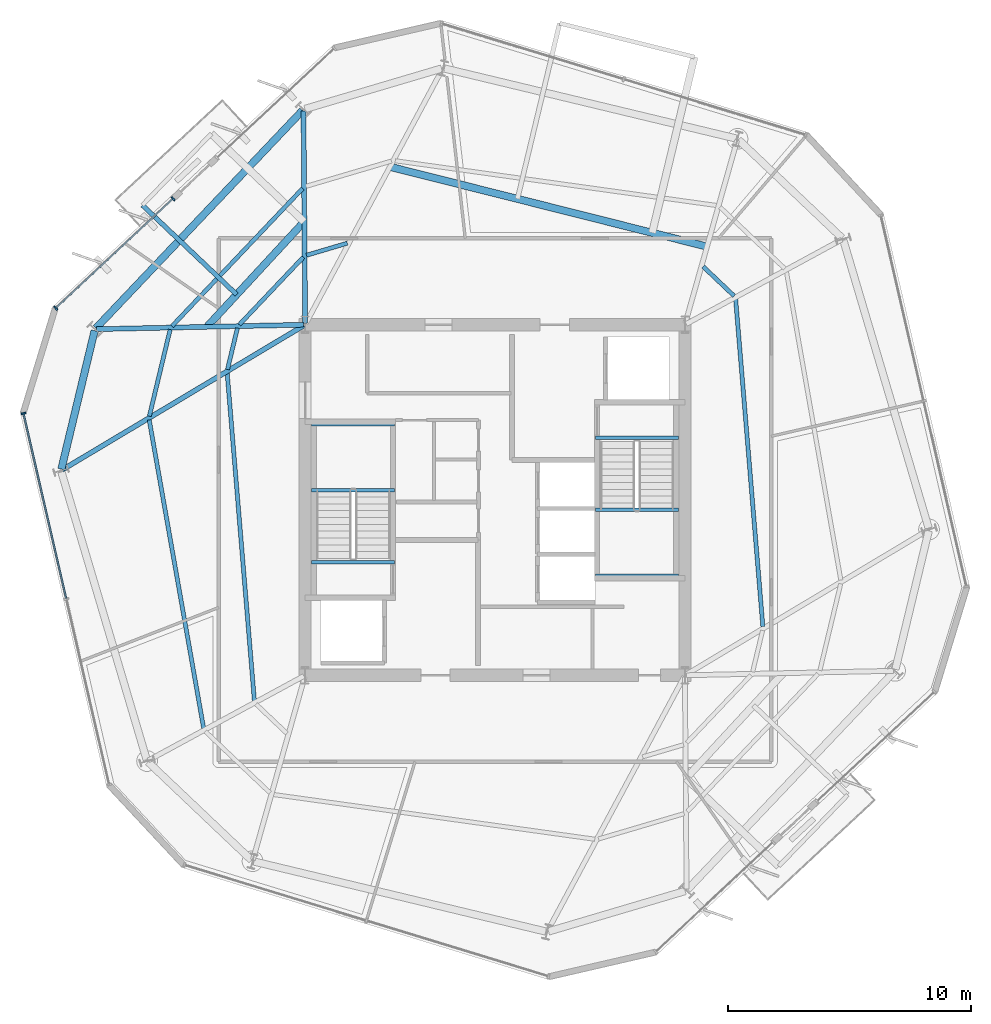
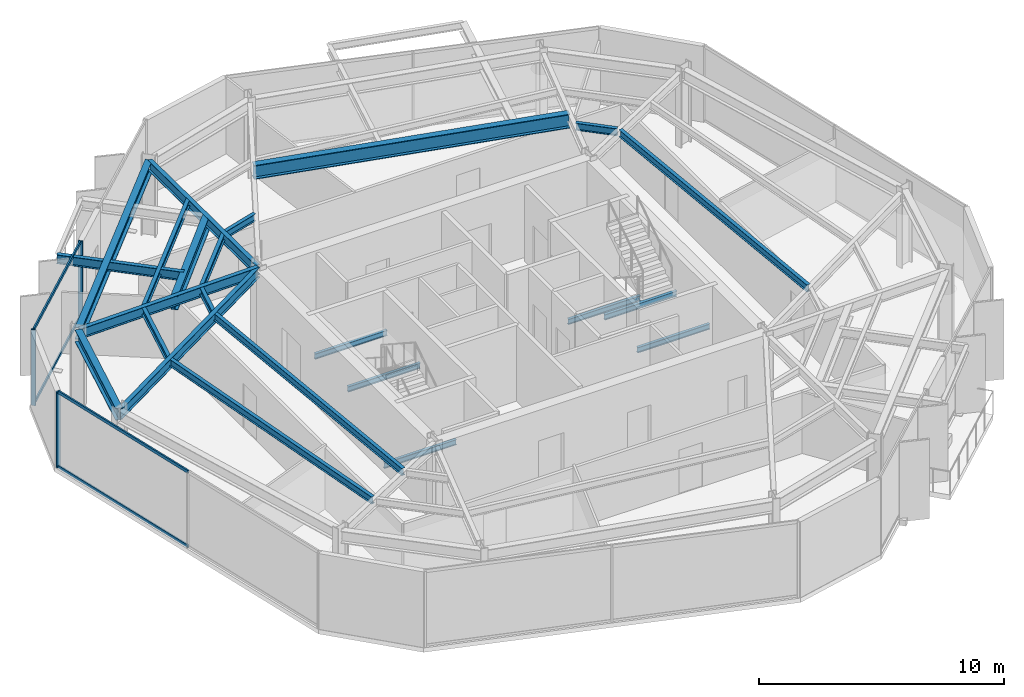
# One storey, part 3 of 11: 23 beams, 7 members, 2 elements without a shape of their own.
"""IFC4 building model written with IfcOpenShell, lengths in metres."""

from ifc_helpers import new_model, si_unit, direction, frame, origin, origin_2d, place, context, subcontext, project, spatial, rectangle, i_section, extrude, material, layer, layer_set, material_profile, profile_set, type_object, element, aggregate, save


model = new_model("IFC4")

# Units and contexts
model_context = context("Model", 3, precision=1e-05, world=origin(), true_north=direction((0.0, 1.0)))
body_context = subcontext(model_context, "Body", "Model", "MODEL_VIEW")
ifc_project = project(units=[si_unit("LENGTHUNIT", "METRE"), si_unit("AREAUNIT", "SQUARE_METRE"), si_unit("VOLUMEUNIT", "CUBIC_METRE"), si_unit("PLANEANGLEUNIT", "RADIAN"), si_unit("MASSUNIT", "GRAM", prefix="KILO")], contexts=[model_context])

# Site, building, storey
site_placement = place(None, origin())
site = spatial("IfcSite", under=ifc_project, at=site_placement, CompositionType="ELEMENT")
building_placement = place(site_placement, origin())
building = spatial("IfcBuilding", under=site, at=building_placement, Name="Kranzbogen Civic Tower", CompositionType="ELEMENT")
storey_placement = place(building_placement, frame((0.0, 0.0, 196.800048828125)))
storey = spatial("IfcBuildingStorey", under=building, at=storey_placement, Name="L47", CompositionType="ELEMENT", Elevation=196.800048828125)

# Beam
ifc_material_1 = material(Name="Steel S355", Category="steel")
ifc_material_profile_1 = material_profile(ifc_material_1, i_section(OverallWidth=0.18994140625, OverallDepth=0.449951171875, WebThickness=0.009521484375, FlangeThickness=0.0146484375, at=origin_2d()), Name="IPE 450")
ifc_profile_set_1 = profile_set([ifc_material_profile_1], Name="Steel S355")
beam_type_1 = type_object("IfcBeamType", Name="Braced Terrace Edge Beam IPE 450", PredefinedType="BEAM", material=ifc_profile_set_1)
beam_1_placement = place(storey_placement, frame((14.387939453125, 33.43603515625, 3.52490234375), z_axis=(-0.725405738742, 0.688321519496, 0.0), x_axis=(-0.688321519496, -0.725405738742, 0.0)))
element("IfcBeam", 1, at=beam_1_placement, inside=storey, type_object=beam_type_1, Name="L48 back-spanned terrace beam L48-TB2-2", PredefinedType="BEAM", context=body_context, shape_type="SweptSolid", body=[
    extrude(i_section(OverallWidth=0.18994140625, OverallDepth=0.449951171875, WebThickness=0.009521484375, FlangeThickness=0.0146484375, at=origin_2d()), origin(), (0.0, 0.0, 1.0), 5.339111328125),
])

# Curtain wall, members
ifc_material_2 = material(Name="Pale Anodised Aluminium", Category="aluminium")
ifc_layer = layer(ifc_material_2, 0.219970703125, Name="Pale Anodised Aluminium")
ifc_layer_set = layer_set([ifc_layer], Name="Pale Anodised Aluminium")
curtain_wall_type = type_object("IfcCurtainWallType", Name="Zone 3 Stick Curtain Wall System CW-04", PredefinedType="USERDEFINED", material=ifc_layer_set)
curtain_wall_1_placement = place(storey_placement, origin())
curtain_wall_1 = element("IfcCurtainWall", 2, at=curtain_wall_1_placement, inside=storey, type_object=curtain_wall_type, Name="L47 curtain wall CW-L47-F2-S2", ObjectType="STICK CURTAIN WALL", PredefinedType="USERDEFINED")
ifc_material_profile_2 = material_profile(ifc_material_2, rectangle(XDim=0.070068359375, YDim=0.199951171875, at=origin_2d()), Name="ALU-M 70x200")
ifc_profile_set_2 = profile_set([ifc_material_profile_2], Name="Pale Anodised Aluminium")
member_type_1 = type_object("IfcMemberType", Name="Curtain Wall Mullion ALU-M 70x200", PredefinedType="MULLION", material=ifc_profile_set_2)
member_1_placement = place(storey_placement, frame((11.776123046875, 37.37841796875, 0.0), z_axis=(0.0, 0.0, 1.0), x_axis=(-0.731320043642, -0.682034452039, 0.0)))
member_1 = element("IfcMember", 3, at=member_1_placement, type_object=member_type_1, Name="CW-04 mullion 1", PredefinedType="MULLION", context=body_context, shape_type="SweptSolid", body=[
    extrude(rectangle(XDim=0.070068359375, YDim=0.199951171875, at=origin_2d()), origin(), (0.0, 0.0, 1.0), 3.780029296875),
])
member_2_placement = place(storey_placement, frame((6.952880859375, 32.88037109375, 0.0), z_axis=(0.0, 0.0, 1.0), x_axis=(-0.731320043642, -0.682034452039, 0.0)))
member_2 = element("IfcMember", 4, at=member_2_placement, type_object=member_type_1, Name="CW-04 mullion 2", PredefinedType="MULLION", context=body_context, shape_type="SweptSolid", body=[
    extrude(rectangle(XDim=0.070068359375, YDim=0.199951171875, at=origin_2d()), origin(), (0.0, 0.0, 1.0), 3.780029296875),
])

# Curtain wall, member
curtain_wall_2_placement = place(storey_placement, origin())
curtain_wall_2 = element("IfcCurtainWall", 5, at=curtain_wall_2_placement, inside=storey, type_object=curtain_wall_type, Name="L47 curtain wall CW-L47-F3", ObjectType="STICK CURTAIN WALL", PredefinedType="USERDEFINED")
member_3_placement = place(storey_placement, frame((5.6318359375, 28.558837890625, 0.0), z_axis=(0.0, 0.0, 1.0), x_axis=(0.224971087375, -0.974365439579, 0.0)))
member_3 = element("IfcMember", 6, at=member_3_placement, type_object=member_type_1, Name="CW-04 mullion 1", PredefinedType="MULLION", context=body_context, shape_type="SweptSolid", body=[
    extrude(rectangle(XDim=0.070068359375, YDim=0.199951171875, at=origin_2d()), origin(), (0.0, 0.0, 1.0), 3.780029296875),
])

# Member
ifc_material_profile_3 = material_profile(ifc_material_2, rectangle(XDim=0.070068359375, YDim=0.14990234375, at=origin_2d()), Name="ALU-T 70x150")
ifc_profile_set_3 = profile_set([ifc_material_profile_3], Name="Pale Anodised Aluminium")
member_type_2 = type_object("IfcMemberType", Name="Curtain Wall Transom ALU-T 70x150", PredefinedType="USERDEFINED", material=ifc_profile_set_3)
member_4_placement = place(storey_placement, frame((11.754150390625, 37.358154296875, 0.030029296875), z_axis=(-0.731314855951, -0.682040014563, 0.0), x_axis=(0.682040014563, -0.731314855951, 0.0)))
member_4 = element("IfcMember", 7, at=member_4_placement, type_object=member_type_2, Name="CW-04 transom 1.1", ObjectType="TRANSOM", PredefinedType="USERDEFINED", context=body_context, shape_type="SweptSolid", body=[
    extrude(rectangle(XDim=0.070068359375, YDim=0.14990234375, at=origin_2d()), origin(), (0.0, 0.0, 1.0), 6.53515625),
])

member_5_placement = place(storey_placement, frame((11.754150390625, 37.358154296875, 3.75), z_axis=(-0.731314855951, -0.682040014563, 0.0), x_axis=(0.682040014563, -0.731314855951, 0.0)))
member_5 = element("IfcMember", 8, at=member_5_placement, type_object=member_type_2, Name="CW-04 transom 1.2", ObjectType="TRANSOM", PredefinedType="USERDEFINED", context=body_context, shape_type="SweptSolid", body=[
    extrude(rectangle(XDim=0.070068359375, YDim=0.14990234375, at=origin_2d()), origin(), (0.0, 0.0, 1.0), 6.53515625),
])

aggregate(curtain_wall_1, [member_1, member_2, member_4, member_5])

member_6_placement = place(storey_placement, frame((5.638427734375, 28.529541015625, 0.030029296875), z_axis=(0.224976622436, -0.974364161573, 0.0), x_axis=(0.974364161573, 0.224976622436, 0.0)))
member_6 = element("IfcMember", 9, at=member_6_placement, type_object=member_type_2, Name="CW-04 transom 1.1", ObjectType="TRANSOM", PredefinedType="USERDEFINED", context=body_context, shape_type="SweptSolid", body=[
    extrude(rectangle(XDim=0.070068359375, YDim=0.14990234375, at=origin_2d()), origin(), (0.0, 0.0, 1.0), 7.764404296875),
])

member_7_placement = place(storey_placement, frame((5.638427734375, 28.529541015625, 3.75), z_axis=(0.224976622436, -0.974364161573, 0.0), x_axis=(0.974364161573, 0.224976622436, 0.0)))
member_7 = element("IfcMember", 10, at=member_7_placement, type_object=member_type_2, Name="CW-04 transom 1.2", ObjectType="TRANSOM", PredefinedType="USERDEFINED", context=body_context, shape_type="SweptSolid", body=[
    extrude(rectangle(XDim=0.070068359375, YDim=0.14990234375, at=origin_2d()), origin(), (0.0, 0.0, 1.0), 7.764404296875),
])

aggregate(curtain_wall_2, [member_3, member_6, member_7])

# Beams
ifc_material_profile_4 = material_profile(ifc_material_1, i_section(OverallWidth=0.300048828125, OverallDepth=0.60009765625, WebThickness=0.015380859375, FlangeThickness=0.030029296875, at=origin_2d()), Name="HEB 600")
ifc_profile_set_4 = profile_set([ifc_material_profile_4], Name="Steel S355")
beam_type_2 = type_object("IfcBeamType", Name="Perimeter Tube Spandrel Beam HEB 600", PredefinedType="SPANDREL", material=ifc_profile_set_4)
beam_2_placement = place(storey_placement, frame((17.092041015625, 41.0, 3.47998046875), z_axis=(-0.688373497874, -0.725356414065, 0.0), x_axis=(0.725356414065, -0.688373497874, 0.0)))
element("IfcBeam", 11, at=beam_2_placement, inside=storey, type_object=beam_type_2, Name="L47 perimeter spandrel beam 10", PredefinedType="SPANDREL", context=body_context, shape_type="SweptSolid", body=[
    extrude(i_section(OverallWidth=0.300048828125, OverallDepth=0.60009765625, WebThickness=0.015380859375, FlangeThickness=0.030029296875, at=origin_2d()), origin(), (0.0, 0.0, 1.0), 12.324951171875),
])
beam_3_placement = place(storey_placement, frame((8.552978515625, 31.9580078125, 3.47998046875), z_axis=(-0.233554380434, -0.972343741369, 0.0), x_axis=(0.972343741369, -0.233554380434, 0.0)))
element("IfcBeam", 12, at=beam_3_placement, inside=storey, type_object=beam_type_2, Name="L47 perimeter spandrel beam 11", PredefinedType="SPANDREL", context=body_context, shape_type="SweptSolid", body=[
    extrude(i_section(OverallWidth=0.300048828125, OverallDepth=0.60009765625, WebThickness=0.015380859375, FlangeThickness=0.030029296875, at=origin_2d()), origin(), (0.0, 0.0, 1.0), 5.852783203125),
])
ifc_material_profile_5 = material_profile(ifc_material_1, i_section(OverallWidth=0.300048828125, OverallDepth=0.699951171875, WebThickness=0.01708984375, FlangeThickness=0.031982421875, at=origin_2d()), Name="HEB 700")
ifc_profile_set_5 = profile_set([ifc_material_profile_5], Name="Steel S355")
beam_type_3 = type_object("IfcBeamType", Name="Perimeter Tube Spandrel Beam HEB 700", PredefinedType="SPANDREL", material=ifc_profile_set_5)
beam_4_placement = place(storey_placement, frame((17.16796875, 36.444091796875, 3.39990234375), z_axis=(-0.678733988671, -0.734384213218, 0.0), x_axis=(0.734384213218, -0.678733988671, 0.0)))
element("IfcBeam", 13, at=beam_4_placement, inside=storey, type_object=beam_type_3, Name="L48 balcony back-span header girder L48-TB2", PredefinedType="SPANDREL", context=body_context, shape_type="SweptSolid", body=[
    extrude(i_section(OverallWidth=0.300048828125, OverallDepth=0.699951171875, WebThickness=0.01708984375, FlangeThickness=0.031982421875, at=origin_2d()), origin(), (0.0, 0.0, 1.0), 5.896240234375),
])
beam_5_placement = place(storey_placement, frame((33.7080078125, 35.408935546875, 3.369873046875), z_axis=(-0.969754167823, 0.244083702834, 0.0), x_axis=(-0.244083702834, -0.969754167823, 0.0)))
element("IfcBeam", 14, at=beam_5_placement, inside=storey, type_object=beam_type_3, Name="L48 balcony back-span header girder L48-ST", PredefinedType="SPANDREL", context=body_context, shape_type="SweptSolid", body=[
    extrude(i_section(OverallWidth=0.300048828125, OverallDepth=0.699951171875, WebThickness=0.01708984375, FlangeThickness=0.031982421875, at=origin_2d()), origin(), (0.0, 0.0, 1.0), 13.43017578125),
])
ifc_material_profile_6 = material_profile(ifc_material_1, i_section(OverallWidth=0.199951171875, OverallDepth=0.5, WebThickness=0.01025390625, FlangeThickness=0.01611328125, at=origin_2d()), Name="IPE 500")
ifc_profile_set_6 = profile_set([ifc_material_profile_6], Name="Steel S355")
beam_type_4 = type_object("IfcBeamType", Name="Radial Tower Floor Girder IPE 500", PredefinedType="BEAM", material=ifc_profile_set_6)
beam_6_placement = place(storey_placement, frame((17.133056640625, 40.98388671875, 3.530029296875), z_axis=(0.007667756557, -0.999970602323, 0.0), x_axis=(0.999970602323, 0.007667756557, 0.0)))
element("IfcBeam", 15, at=beam_6_placement, inside=storey, type_object=beam_type_4, Name="L47 radial floor girder 10", PredefinedType="BEAM", context=body_context, shape_type="SweptSolid", body=[
    extrude(i_section(OverallWidth=0.199951171875, OverallDepth=0.5, WebThickness=0.01025390625, FlangeThickness=0.01611328125, at=origin_2d()), origin(), (0.0, 0.0, 1.0), 8.72412109375),
])
beam_7_placement = place(storey_placement, frame((8.626953125, 32.01708984375, 3.530029296875), z_axis=(0.99977183191, 0.021360808018, 0.0), x_axis=(-0.021360808018, 0.99977183191, 0.0)))
element("IfcBeam", 16, at=beam_7_placement, inside=storey, type_object=beam_type_4, Name="L47 radial floor girder 11", PredefinedType="BEAM", context=body_context, shape_type="SweptSolid", body=[
    extrude(i_section(OverallWidth=0.199951171875, OverallDepth=0.5, WebThickness=0.01025390625, FlangeThickness=0.01611328125, at=origin_2d()), origin(), (0.0, 0.0, 1.0), 8.514892578125),
])
beam_8_placement = place(storey_placement, frame((7.22412109375, 26.239990234375, 3.530029296875), z_axis=(0.858458551809, 0.512882944565, 0.0), x_axis=(-0.512882944565, 0.858458551809, 0.0)))
element("IfcBeam", 17, at=beam_8_placement, inside=storey, type_object=beam_type_4, Name="L47 radial floor girder 12", PredefinedType="BEAM", context=body_context, shape_type="SweptSolid", body=[
    extrude(i_section(OverallWidth=0.199951171875, OverallDepth=0.5, WebThickness=0.01025390625, FlangeThickness=0.01611328125, at=origin_2d()), origin(), (0.0, 0.0, 1.0), 11.56005859375),
])
ifc_material_profile_7 = material_profile(ifc_material_1, i_section(OverallWidth=0.169921875, OverallDepth=0.360107421875, WebThickness=0.008056640625, FlangeThickness=0.0126953125, at=origin_2d()), Name="IPE 360")
ifc_profile_set_7 = profile_set([ifc_material_profile_7], Name="Steel S355")
beam_type_5 = type_object("IfcBeamType", Name="Secondary Composite Floor Joist IPE 360", PredefinedType="JOIST", material=ifc_profile_set_7)
beam_9_placement = place(storey_placement, frame((36.001953125, 19.797119140625, 3.599853515625), z_axis=(-0.082825426692, 0.996564071544, 0.0), x_axis=(-0.996564071544, -0.082825426692, 0.0)))
element("IfcBeam", 18, at=beam_9_placement, inside=storey, type_object=beam_type_5, Name="L47 secondary floor joist 2.06", PredefinedType="JOIST", context=body_context, shape_type="SweptSolid", body=[
    extrude(i_section(OverallWidth=0.169921875, OverallDepth=0.360107421875, WebThickness=0.008056640625, FlangeThickness=0.0126953125, at=origin_2d()), origin(), (0.0, 0.0, 1.0), 13.497314453125),
])
beam_10_placement = place(storey_placement, frame((34.820068359375, 33.383056640625, 3.599853515625), z_axis=(-0.725479767774, 0.688243493649, 0.0), x_axis=(-0.688243493649, -0.725479767774, 0.0)))
element("IfcBeam", 19, at=beam_10_placement, inside=storey, type_object=beam_type_5, Name="L47 secondary floor joist 2.07", PredefinedType="JOIST", context=body_context, shape_type="SweptSolid", body=[
    extrude(i_section(OverallWidth=0.169921875, OverallDepth=0.360107421875, WebThickness=0.008056640625, FlangeThickness=0.0126953125, at=origin_2d()), origin(), (0.0, 0.0, 1.0), 1.75048828125),
])
beam_11_placement = place(storey_placement, frame((18.93408203125, 35.550048828125, 3.599853515625), z_axis=(-0.958871214757, -0.283841493638, 0.0), x_axis=(0.283841493638, -0.958871214757, 0.0)))
element("IfcBeam", 20, at=beam_11_placement, inside=storey, type_object=beam_type_5, Name="L47 secondary floor joist 2.09", PredefinedType="JOIST", context=body_context, shape_type="SweptSolid", body=[
    extrude(i_section(OverallWidth=0.169921875, OverallDepth=0.360107421875, WebThickness=0.008056640625, FlangeThickness=0.0126953125, at=origin_2d()), origin(), (0.0, 0.0, 1.0), 1.751220703125),
])
beam_12_placement = place(storey_placement, frame((17.10205078125, 37.802001953125, 3.599853515625), z_axis=(-0.688282381634, -0.725442873789, 0.0), x_axis=(0.725442873789, -0.688282381634, 0.0)))
element("IfcBeam", 21, at=beam_12_placement, inside=storey, type_object=beam_type_5, Name="L47 secondary floor joist 1.10", PredefinedType="JOIST", context=body_context, shape_type="SweptSolid", body=[
    extrude(i_section(OverallWidth=0.169921875, OverallDepth=0.360107421875, WebThickness=0.008056640625, FlangeThickness=0.0126953125, at=origin_2d()), origin(), (0.0, 0.0, 1.0), 7.804931640625),
])
beam_13_placement = place(storey_placement, frame((17.123046875, 34.971923828125, 3.599853515625), z_axis=(-0.688175084876, -0.725544659243, 0.0), x_axis=(0.725544659243, -0.688175084876, 0.0)))
element("IfcBeam", 22, at=beam_13_placement, inside=storey, type_object=beam_type_5, Name="L47 secondary floor joist 2.10", PredefinedType="JOIST", context=body_context, shape_type="SweptSolid", body=[
    extrude(i_section(OverallWidth=0.169921875, OverallDepth=0.360107421875, WebThickness=0.008056640625, FlangeThickness=0.0126953125, at=origin_2d()), origin(), (0.0, 0.0, 1.0), 3.82177734375),
])
beam_14_placement = place(storey_placement, frame((11.656005859375, 32.00390625, 3.599853515625), z_axis=(-0.233534367714, -0.972348548154, 0.0), x_axis=(0.972348548154, -0.233534367714, 0.0)))
element("IfcBeam", 23, at=beam_14_placement, inside=storey, type_object=beam_type_5, Name="L47 secondary floor joist 1.11", PredefinedType="JOIST", context=body_context, shape_type="SweptSolid", body=[
    extrude(i_section(OverallWidth=0.169921875, OverallDepth=0.360107421875, WebThickness=0.008056640625, FlangeThickness=0.0126953125, at=origin_2d()), origin(), (0.0, 0.0, 1.0), 3.6611328125),
])
beam_15_placement = place(storey_placement, frame((14.4189453125, 32.06298828125, 3.599853515625), z_axis=(-0.233631438607, -0.972325228972, 0.0), x_axis=(0.972325228972, -0.233631438607, 0.0)))
element("IfcBeam", 24, at=beam_15_placement, inside=storey, type_object=beam_type_5, Name="L47 secondary floor joist 2.11", PredefinedType="JOIST", context=body_context, shape_type="SweptSolid", body=[
    extrude(i_section(OverallWidth=0.169921875, OverallDepth=0.360107421875, WebThickness=0.008056640625, FlangeThickness=0.0126953125, at=origin_2d()), origin(), (0.0, 0.0, 1.0), 1.750244140625),
])
beam_16_placement = place(storey_placement, frame((10.7958984375, 28.287109375, 3.599853515625), z_axis=(0.173805911364, -0.984779927281, 0.0), x_axis=(0.984779927281, 0.173805911364, 0.0)))
element("IfcBeam", 25, at=beam_16_placement, inside=storey, type_object=beam_type_5, Name="L47 secondary floor joist 1.12", PredefinedType="JOIST", context=body_context, shape_type="SweptSolid", body=[
    extrude(i_section(OverallWidth=0.169921875, OverallDepth=0.360107421875, WebThickness=0.008056640625, FlangeThickness=0.0126953125, at=origin_2d()), origin(), (0.0, 0.0, 1.0), 12.85986328125),
])
beam_17_placement = place(storey_placement, frame((13.998046875, 30.202880859375, 3.599853515625), z_axis=(0.082825426692, -0.996564071544, 0.0), x_axis=(0.996564071544, 0.082825426692, 0.0)))
element("IfcBeam", 26, at=beam_17_placement, inside=storey, type_object=beam_type_5, Name="L47 secondary floor joist 2.12", PredefinedType="JOIST", context=body_context, shape_type="SweptSolid", body=[
    extrude(i_section(OverallWidth=0.169921875, OverallDepth=0.360107421875, WebThickness=0.008056640625, FlangeThickness=0.0126953125, at=origin_2d()), origin(), (0.0, 0.0, 1.0), 13.497314453125),
])
ifc_material_profile_8 = material_profile(ifc_material_1, i_section(OverallWidth=0.135009765625, OverallDepth=0.27001953125, WebThickness=0.006591796875, FlangeThickness=0.01025390625, at=origin_2d()), Name="IPE 270")
ifc_profile_set_8 = profile_set([ifc_material_profile_8], Name="Steel S355")
beam_type_6 = type_object("IfcBeamType", Name="Stair Landing Support Beam IPE 270", PredefinedType="JOIST", material=ifc_profile_set_8)
for number, where, z_axis, x_axis, name in (
    (27, (20.8798828125, 22.43994140625, -0.35498046875), (-1.0, 0.0, 0.0), (0.0, -1.0, 0.0), "L47 ST-T1 stair floor header beam"),
    (28, (20.8798828125, 25.39990234375, 1.6650390625), (-1.0, 0.0, 0.0), (0.0, -1.0, 0.0), "L47 ST-T1 landing support beam 1.1"),
    (29, (20.8798828125, 28.10009765625, 1.6650390625), (-1.0, 0.0, 0.0), (0.0, -1.0, 0.0), "L47 ST-T1 landing support beam 1.2"),
    (30, (29.1201171875, 27.56005859375, -0.35498046875), (1.0, 0.0, 0.0), (0.0, 1.0, 0.0), "L47 ST-T2 stair floor header beam"),
    (31, (29.1201171875, 24.60009765625, 1.6650390625), (1.0, 0.0, 0.0), (0.0, 1.0, 0.0), "L47 ST-T2 landing support beam 1.1"),
    (32, (29.1201171875, 21.89990234375, 1.6650390625), (1.0, 0.0, 0.0), (0.0, 1.0, 0.0), "L47 ST-T2 landing support beam 1.2"),
):
    element("IfcBeam", number, at=place(storey_placement, frame(where, z_axis=z_axis, x_axis=x_axis)), inside=storey, type_object=beam_type_6, Name=name, PredefinedType="JOIST", context=body_context, shape_type="SweptSolid", body=[
        extrude(i_section(OverallWidth=0.135009765625, OverallDepth=0.27001953125, WebThickness=0.006591796875, FlangeThickness=0.01025390625, at=origin_2d()), origin(), (0.0, 0.0, 1.0), 3.409912109375),
    ])

save(model, "model.ifc")
